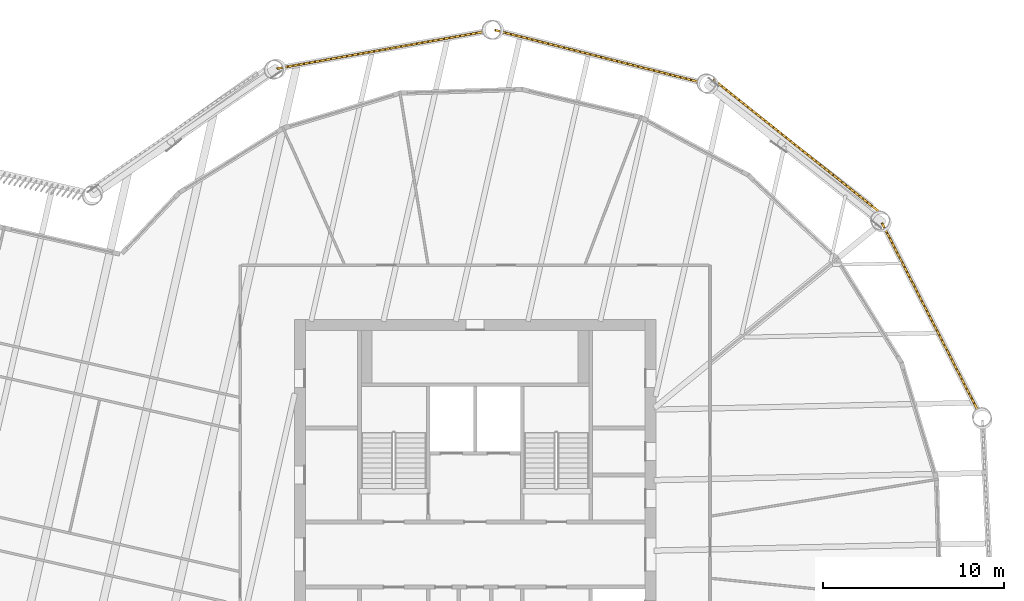
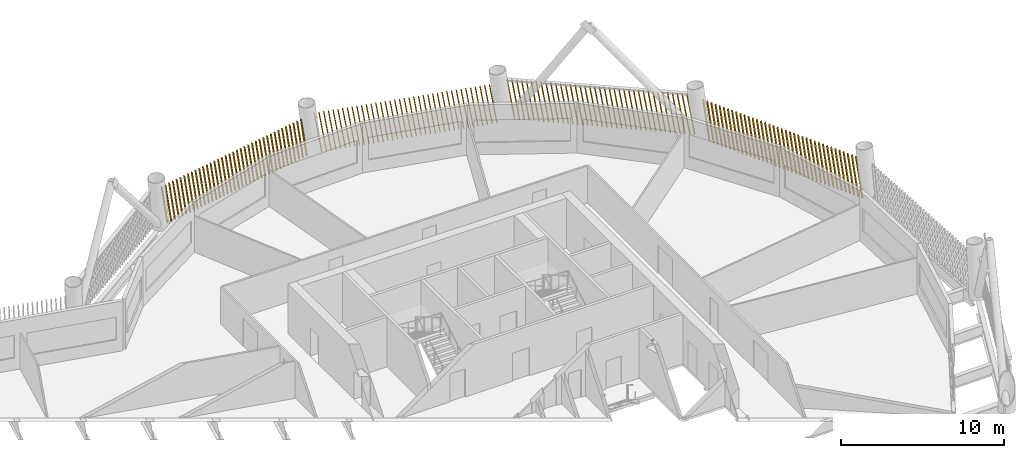
# One storey, part 22 of 23: 4 shading devices.
"""IFC4 building model written with IfcOpenShell, lengths in metres."""

from ifc_helpers import new_model, si_unit, direction, frame, frame_2d, origin, place, context, subcontext, project, spatial, rectangle, composite_profile, extrude, material, type_object, element, save


model = new_model("IFC4")

# Units and contexts
model_context = context("Model", 3, precision=1e-05, world=origin(), true_north=direction((0.0, 1.0)))
body_context = subcontext(model_context, "Body", "Model", "MODEL_VIEW")
ifc_project = project(units=[si_unit("LENGTHUNIT", "METRE"), si_unit("AREAUNIT", "SQUARE_METRE"), si_unit("VOLUMEUNIT", "CUBIC_METRE"), si_unit("PLANEANGLEUNIT", "RADIAN"), si_unit("MASSUNIT", "GRAM", prefix="KILO")], contexts=[model_context])

# Site, building, storey
site_placement = place(None, origin())
site = spatial("IfcSite", under=ifc_project, at=site_placement, CompositionType="ELEMENT")
building_placement = place(site_placement, origin())
building = spatial("IfcBuilding", under=site, at=building_placement, Name="Tarsis Ring Headquarters", CompositionType="ELEMENT")
storey_placement = place(building_placement, frame((0.0, 0.0, 231.60009765625)))
storey = spatial("IfcBuildingStorey", under=building, at=storey_placement, Name="L54", CompositionType="ELEMENT", Elevation=231.60009765625)

# Shading devices
ifc_material = material(Name="Terracotta baguette", Category="masonry")
shading_device_type = type_object("IfcShadingDeviceType", Name="Terracotta baguette screen", PredefinedType="USERDEFINED", material=ifc_material)
shading_device_1_placement = place(storey_placement, frame((27.844482421875, 7.913330078125, 0.0), z_axis=(0.0, 0.0, 1.0), x_axis=(-0.455062398264, 0.890461204558, 0.0)))
element("IfcShadingDevice", 1, at=shading_device_1_placement, inside=storey, type_object=shading_device_type, Name="Baguette screen L54-10", ObjectType="Terracotta baguette screen", PredefinedType="USERDEFINED", context=body_context, shape_type="SweptSolid", body=[
    extrude(composite_profile([rectangle(XDim=0.06005859375, YDim=0.1201171875, at=frame_2d((0.030029296875, 0.0))), rectangle(XDim=0.06005859375, YDim=0.1201171875, at=frame_2d((0.33251953125, 0.0))), rectangle(XDim=0.06005859375, YDim=0.1201171875, at=frame_2d((0.634765625, 0.0))), rectangle(XDim=0.06005859375, YDim=0.1201171875, at=frame_2d((0.937255859375, 0.0))), rectangle(XDim=0.06005859375, YDim=0.1201171875, at=frame_2d((1.239501953125, 0.0))), rectangle(XDim=0.06005859375, YDim=0.1201171875, at=frame_2d((1.5419921875, 0.0))), rectangle(XDim=0.06005859375, YDim=0.1201171875, at=frame_2d((1.844482421875, 0.0))), rectangle(XDim=0.06005859375, YDim=0.1201171875, at=frame_2d((2.146728515625, 0.0))), rectangle(XDim=0.06005859375, YDim=0.1201171875, at=frame_2d((2.44921875, 0.0))), rectangle(XDim=0.06005859375, YDim=0.1201171875, at=frame_2d((2.751708984375, 0.0))), rectangle(XDim=0.06005859375, YDim=0.1201171875, at=frame_2d((3.053955078125, 0.0))), rectangle(XDim=0.06005859375, YDim=0.1201171875, at=frame_2d((3.3564453125, 0.0))), rectangle(XDim=0.06005859375, YDim=0.1201171875, at=frame_2d((3.65869140625, 0.0))), rectangle(XDim=0.06005859375, YDim=0.1201171875, at=frame_2d((3.961181640625, 0.0))), rectangle(XDim=0.06005859375, YDim=0.1201171875, at=frame_2d((4.263671875, 0.0))), rectangle(XDim=0.06005859375, YDim=0.1201171875, at=frame_2d((4.56591796875, 0.0))), rectangle(XDim=0.06005859375, YDim=0.1201171875, at=frame_2d((4.868408203125, 0.0))), rectangle(XDim=0.06005859375, YDim=0.1201171875, at=frame_2d((5.1708984375, 0.0))), rectangle(XDim=0.06005859375, YDim=0.1201171875, at=frame_2d((5.47314453125, 0.0))), rectangle(XDim=0.06005859375, YDim=0.1201171875, at=frame_2d((5.775634765625, 0.0))), rectangle(XDim=0.06005859375, YDim=0.1201171875, at=frame_2d((6.077880859375, 0.0))), rectangle(XDim=0.06005859375, YDim=0.1201171875, at=frame_2d((6.38037109375, 0.0))), rectangle(XDim=0.06005859375, YDim=0.1201171875, at=frame_2d((6.682861328125, 0.0))), rectangle(XDim=0.06005859375, YDim=0.1201171875, at=frame_2d((6.985107421875, 0.0))), rectangle(XDim=0.06005859375, YDim=0.1201171875, at=frame_2d((7.28759765625, 0.0))), rectangle(XDim=0.06005859375, YDim=0.1201171875, at=frame_2d((7.590087890625, 0.0))), rectangle(XDim=0.06005859375, YDim=0.1201171875, at=frame_2d((7.892333984375, 0.0))), rectangle(XDim=0.06005859375, YDim=0.1201171875, at=frame_2d((8.19482421875, 0.0))), rectangle(XDim=0.06005859375, YDim=0.1201171875, at=frame_2d((8.4970703125, 0.0))), rectangle(XDim=0.06005859375, YDim=0.1201171875, at=frame_2d((8.799560546875, 0.0))), rectangle(XDim=0.06005859375, YDim=0.1201171875, at=frame_2d((9.10205078125, 0.0))), rectangle(XDim=0.06005859375, YDim=0.1201171875, at=frame_2d((9.404296875, 0.0))), rectangle(XDim=0.06005859375, YDim=0.1201171875, at=frame_2d((9.706787109375, 0.0))), rectangle(XDim=0.06005859375, YDim=0.1201171875, at=frame_2d((10.00927734375, 0.0))), rectangle(XDim=0.06005859375, YDim=0.1201171875, at=frame_2d((10.3115234375, 0.0))), rectangle(XDim=0.06005859375, YDim=0.1201171875, at=frame_2d((10.614013671875, 0.0))), rectangle(XDim=0.06005859375, YDim=0.1201171875, at=frame_2d((10.916259765625, 0.0))), rectangle(XDim=0.06005859375, YDim=0.1201171875, at=frame_2d((11.21875, 0.0)))]), origin(), (0.159216993398, 0.001333436991, 0.987242711272), 2.988037109375),
])
shading_device_2_placement = place(storey_placement, frame((22.34130859375, 18.980224609375, 0.0), z_axis=(0.0, 0.0, 1.0), x_axis=(-0.78164337182, 0.623708655265, 0.0)))
element("IfcShadingDevice", 2, at=shading_device_2_placement, inside=storey, type_object=shading_device_type, Name="Baguette screen L54-11", ObjectType="Terracotta baguette screen", PredefinedType="USERDEFINED", context=body_context, shape_type="SweptSolid", body=[
    extrude(composite_profile([rectangle(XDim=0.06005859375, YDim=0.1201171875, at=frame_2d((0.030029296875, 0.0))), rectangle(XDim=0.06005859375, YDim=0.1201171875, at=frame_2d((0.33251953125, 0.0))), rectangle(XDim=0.06005859375, YDim=0.1201171875, at=frame_2d((0.634765625, 0.0))), rectangle(XDim=0.06005859375, YDim=0.1201171875, at=frame_2d((0.937255859375, 0.0))), rectangle(XDim=0.06005859375, YDim=0.1201171875, at=frame_2d((1.239501953125, 0.0))), rectangle(XDim=0.06005859375, YDim=0.1201171875, at=frame_2d((1.5419921875, 0.0))), rectangle(XDim=0.06005859375, YDim=0.1201171875, at=frame_2d((1.844482421875, 0.0))), rectangle(XDim=0.06005859375, YDim=0.1201171875, at=frame_2d((2.146728515625, 0.0))), rectangle(XDim=0.06005859375, YDim=0.1201171875, at=frame_2d((2.44921875, 0.0))), rectangle(XDim=0.06005859375, YDim=0.1201171875, at=frame_2d((2.751708984375, 0.0))), rectangle(XDim=0.06005859375, YDim=0.1201171875, at=frame_2d((3.053955078125, 0.0))), rectangle(XDim=0.06005859375, YDim=0.1201171875, at=frame_2d((3.3564453125, 0.0))), rectangle(XDim=0.06005859375, YDim=0.1201171875, at=frame_2d((3.65869140625, 0.0))), rectangle(XDim=0.06005859375, YDim=0.1201171875, at=frame_2d((3.961181640625, 0.0))), rectangle(XDim=0.06005859375, YDim=0.1201171875, at=frame_2d((4.263671875, 0.0))), rectangle(XDim=0.06005859375, YDim=0.1201171875, at=frame_2d((4.56591796875, 0.0))), rectangle(XDim=0.06005859375, YDim=0.1201171875, at=frame_2d((4.868408203125, 0.0))), rectangle(XDim=0.06005859375, YDim=0.1201171875, at=frame_2d((5.1708984375, 0.0))), rectangle(XDim=0.06005859375, YDim=0.1201171875, at=frame_2d((5.47314453125, 0.0))), rectangle(XDim=0.06005859375, YDim=0.1201171875, at=frame_2d((5.775634765625, 0.0))), rectangle(XDim=0.06005859375, YDim=0.1201171875, at=frame_2d((6.077880859375, 0.0))), rectangle(XDim=0.06005859375, YDim=0.1201171875, at=frame_2d((6.38037109375, 0.0))), rectangle(XDim=0.06005859375, YDim=0.1201171875, at=frame_2d((6.682861328125, 0.0))), rectangle(XDim=0.06005859375, YDim=0.1201171875, at=frame_2d((6.985107421875, 0.0))), rectangle(XDim=0.06005859375, YDim=0.1201171875, at=frame_2d((7.28759765625, 0.0))), rectangle(XDim=0.06005859375, YDim=0.1201171875, at=frame_2d((7.590087890625, 0.0))), rectangle(XDim=0.06005859375, YDim=0.1201171875, at=frame_2d((7.892333984375, 0.0))), rectangle(XDim=0.06005859375, YDim=0.1201171875, at=frame_2d((8.19482421875, 0.0))), rectangle(XDim=0.06005859375, YDim=0.1201171875, at=frame_2d((8.4970703125, 0.0))), rectangle(XDim=0.06005859375, YDim=0.1201171875, at=frame_2d((8.799560546875, 0.0))), rectangle(XDim=0.06005859375, YDim=0.1201171875, at=frame_2d((9.10205078125, 0.0))), rectangle(XDim=0.06005859375, YDim=0.1201171875, at=frame_2d((9.404296875, 0.0))), rectangle(XDim=0.06005859375, YDim=0.1201171875, at=frame_2d((9.706787109375, 0.0))), rectangle(XDim=0.06005859375, YDim=0.1201171875, at=frame_2d((10.00927734375, 0.0))), rectangle(XDim=0.06005859375, YDim=0.1201171875, at=frame_2d((10.3115234375, 0.0))), rectangle(XDim=0.06005859375, YDim=0.1201171875, at=frame_2d((10.614013671875, 0.0))), rectangle(XDim=0.06005859375, YDim=0.1201171875, at=frame_2d((10.916259765625, 0.0))), rectangle(XDim=0.06005859375, YDim=0.1201171875, at=frame_2d((11.21875, 0.0)))]), origin(), (0.161263025199, 0.001348675721, 0.986910541932), 2.989013671875),
])
shading_device_3_placement = place(storey_placement, frame((12.439208984375, 26.13818359375, 0.0), z_axis=(0.0, 0.0, 1.0), x_axis=(-0.9692457949, 0.246098752035, 0.0)))
element("IfcShadingDevice", 3, at=shading_device_3_placement, inside=storey, type_object=shading_device_type, Name="Baguette screen L54-12", ObjectType="Terracotta baguette screen", PredefinedType="USERDEFINED", context=body_context, shape_type="SweptSolid", body=[
    extrude(composite_profile([rectangle(XDim=0.06005859375, YDim=0.1201171875, at=frame_2d((0.030029296875, 0.0))), rectangle(XDim=0.06005859375, YDim=0.1201171875, at=frame_2d((0.33251953125, 0.0))), rectangle(XDim=0.06005859375, YDim=0.1201171875, at=frame_2d((0.634765625, 0.0))), rectangle(XDim=0.06005859375, YDim=0.1201171875, at=frame_2d((0.937255859375, 0.0))), rectangle(XDim=0.06005859375, YDim=0.1201171875, at=frame_2d((1.239501953125, 0.0))), rectangle(XDim=0.06005859375, YDim=0.1201171875, at=frame_2d((1.5419921875, 0.0))), rectangle(XDim=0.06005859375, YDim=0.1201171875, at=frame_2d((1.844482421875, 0.0))), rectangle(XDim=0.06005859375, YDim=0.1201171875, at=frame_2d((2.146728515625, 0.0))), rectangle(XDim=0.06005859375, YDim=0.1201171875, at=frame_2d((2.44921875, 0.0))), rectangle(XDim=0.06005859375, YDim=0.1201171875, at=frame_2d((2.751708984375, 0.0))), rectangle(XDim=0.06005859375, YDim=0.1201171875, at=frame_2d((3.053955078125, 0.0))), rectangle(XDim=0.06005859375, YDim=0.1201171875, at=frame_2d((3.3564453125, 0.0))), rectangle(XDim=0.06005859375, YDim=0.1201171875, at=frame_2d((3.65869140625, 0.0))), rectangle(XDim=0.06005859375, YDim=0.1201171875, at=frame_2d((3.961181640625, 0.0))), rectangle(XDim=0.06005859375, YDim=0.1201171875, at=frame_2d((4.263671875, 0.0))), rectangle(XDim=0.06005859375, YDim=0.1201171875, at=frame_2d((4.56591796875, 0.0))), rectangle(XDim=0.06005859375, YDim=0.1201171875, at=frame_2d((4.868408203125, 0.0))), rectangle(XDim=0.06005859375, YDim=0.1201171875, at=frame_2d((5.1708984375, 0.0))), rectangle(XDim=0.06005859375, YDim=0.1201171875, at=frame_2d((5.47314453125, 0.0))), rectangle(XDim=0.06005859375, YDim=0.1201171875, at=frame_2d((5.775634765625, 0.0))), rectangle(XDim=0.06005859375, YDim=0.1201171875, at=frame_2d((6.077880859375, 0.0))), rectangle(XDim=0.06005859375, YDim=0.1201171875, at=frame_2d((6.38037109375, 0.0))), rectangle(XDim=0.06005859375, YDim=0.1201171875, at=frame_2d((6.682861328125, 0.0))), rectangle(XDim=0.06005859375, YDim=0.1201171875, at=frame_2d((6.985107421875, 0.0))), rectangle(XDim=0.06005859375, YDim=0.1201171875, at=frame_2d((7.28759765625, 0.0))), rectangle(XDim=0.06005859375, YDim=0.1201171875, at=frame_2d((7.590087890625, 0.0))), rectangle(XDim=0.06005859375, YDim=0.1201171875, at=frame_2d((7.892333984375, 0.0))), rectangle(XDim=0.06005859375, YDim=0.1201171875, at=frame_2d((8.19482421875, 0.0))), rectangle(XDim=0.06005859375, YDim=0.1201171875, at=frame_2d((8.4970703125, 0.0))), rectangle(XDim=0.06005859375, YDim=0.1201171875, at=frame_2d((8.799560546875, 0.0))), rectangle(XDim=0.06005859375, YDim=0.1201171875, at=frame_2d((9.10205078125, 0.0))), rectangle(XDim=0.06005859375, YDim=0.1201171875, at=frame_2d((9.404296875, 0.0))), rectangle(XDim=0.06005859375, YDim=0.1201171875, at=frame_2d((9.706787109375, 0.0))), rectangle(XDim=0.06005859375, YDim=0.1201171875, at=frame_2d((10.00927734375, 0.0))), rectangle(XDim=0.06005859375, YDim=0.1201171875, at=frame_2d((10.3115234375, 0.0))), rectangle(XDim=0.06005859375, YDim=0.1201171875, at=frame_2d((10.614013671875, 0.0))), rectangle(XDim=0.06005859375, YDim=0.1201171875, at=frame_2d((10.916259765625, 0.0))), rectangle(XDim=0.06005859375, YDim=0.1201171875, at=frame_2d((11.21875, 0.0)))]), origin(), (0.159216552139, 0.001335323144, 0.987242779886), 2.988037109375),
])
shading_device_4_placement = place(storey_placement, frame((0.5595703125, 28.94189453125, 0.0), z_axis=(0.0, 0.0, 1.0), x_axis=(-0.984525230602, -0.175301139447, 0.0)))
element("IfcShadingDevice", 4, at=shading_device_4_placement, inside=storey, type_object=shading_device_type, Name="Baguette screen L54-13", ObjectType="Terracotta baguette screen", PredefinedType="USERDEFINED", context=body_context, shape_type="SweptSolid", body=[
    extrude(composite_profile([rectangle(XDim=0.06005859375, YDim=0.1201171875, at=frame_2d((0.030029296875, 0.0))), rectangle(XDim=0.06005859375, YDim=0.1201171875, at=frame_2d((0.33251953125, 0.0))), rectangle(XDim=0.06005859375, YDim=0.1201171875, at=frame_2d((0.634765625, 0.0))), rectangle(XDim=0.06005859375, YDim=0.1201171875, at=frame_2d((0.937255859375, 0.0))), rectangle(XDim=0.06005859375, YDim=0.1201171875, at=frame_2d((1.239501953125, 0.0))), rectangle(XDim=0.06005859375, YDim=0.1201171875, at=frame_2d((1.5419921875, 0.0))), rectangle(XDim=0.06005859375, YDim=0.1201171875, at=frame_2d((1.844482421875, 0.0))), rectangle(XDim=0.06005859375, YDim=0.1201171875, at=frame_2d((2.146728515625, 0.0))), rectangle(XDim=0.06005859375, YDim=0.1201171875, at=frame_2d((2.44921875, 0.0))), rectangle(XDim=0.06005859375, YDim=0.1201171875, at=frame_2d((2.751708984375, 0.0))), rectangle(XDim=0.06005859375, YDim=0.1201171875, at=frame_2d((3.053955078125, 0.0))), rectangle(XDim=0.06005859375, YDim=0.1201171875, at=frame_2d((3.3564453125, 0.0))), rectangle(XDim=0.06005859375, YDim=0.1201171875, at=frame_2d((3.65869140625, 0.0))), rectangle(XDim=0.06005859375, YDim=0.1201171875, at=frame_2d((3.961181640625, 0.0))), rectangle(XDim=0.06005859375, YDim=0.1201171875, at=frame_2d((4.263671875, 0.0))), rectangle(XDim=0.06005859375, YDim=0.1201171875, at=frame_2d((4.56591796875, 0.0))), rectangle(XDim=0.06005859375, YDim=0.1201171875, at=frame_2d((4.868408203125, 0.0))), rectangle(XDim=0.06005859375, YDim=0.1201171875, at=frame_2d((5.1708984375, 0.0))), rectangle(XDim=0.06005859375, YDim=0.1201171875, at=frame_2d((5.47314453125, 0.0))), rectangle(XDim=0.06005859375, YDim=0.1201171875, at=frame_2d((5.775634765625, 0.0))), rectangle(XDim=0.06005859375, YDim=0.1201171875, at=frame_2d((6.077880859375, 0.0))), rectangle(XDim=0.06005859375, YDim=0.1201171875, at=frame_2d((6.38037109375, 0.0))), rectangle(XDim=0.06005859375, YDim=0.1201171875, at=frame_2d((6.682861328125, 0.0))), rectangle(XDim=0.06005859375, YDim=0.1201171875, at=frame_2d((6.985107421875, 0.0))), rectangle(XDim=0.06005859375, YDim=0.1201171875, at=frame_2d((7.28759765625, 0.0))), rectangle(XDim=0.06005859375, YDim=0.1201171875, at=frame_2d((7.590087890625, 0.0))), rectangle(XDim=0.06005859375, YDim=0.1201171875, at=frame_2d((7.892333984375, 0.0))), rectangle(XDim=0.06005859375, YDim=0.1201171875, at=frame_2d((8.19482421875, 0.0))), rectangle(XDim=0.06005859375, YDim=0.1201171875, at=frame_2d((8.4970703125, 0.0))), rectangle(XDim=0.06005859375, YDim=0.1201171875, at=frame_2d((8.799560546875, 0.0))), rectangle(XDim=0.06005859375, YDim=0.1201171875, at=frame_2d((9.10205078125, 0.0))), rectangle(XDim=0.06005859375, YDim=0.1201171875, at=frame_2d((9.404296875, 0.0))), rectangle(XDim=0.06005859375, YDim=0.1201171875, at=frame_2d((9.706787109375, 0.0))), rectangle(XDim=0.06005859375, YDim=0.1201171875, at=frame_2d((10.00927734375, 0.0))), rectangle(XDim=0.06005859375, YDim=0.1201171875, at=frame_2d((10.3115234375, 0.0))), rectangle(XDim=0.06005859375, YDim=0.1201171875, at=frame_2d((10.614013671875, 0.0))), rectangle(XDim=0.06005859375, YDim=0.1201171875, at=frame_2d((10.916259765625, 0.0))), rectangle(XDim=0.06005859375, YDim=0.1201171875, at=frame_2d((11.21875, 0.0)))]), origin(), (0.159217983857, 0.001334353394, 0.987242550297), 2.988037109375),
])

save(model, "model.ifc")
